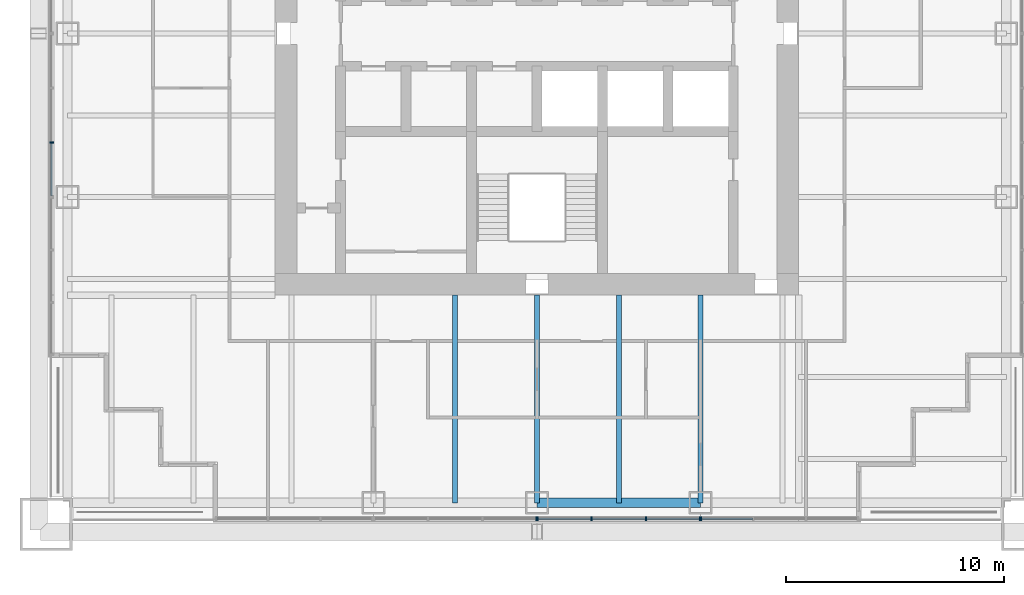
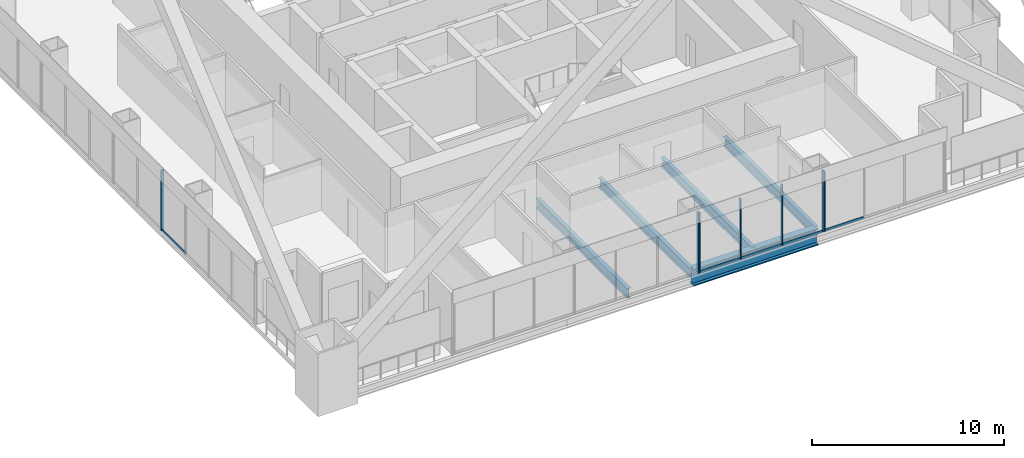
# One storey, part 4 of 19: 12 members, 5 beams, 4 elements without a shape of their own.
"""IFC4 building model written with IfcOpenShell, lengths in metres."""

from ifc_helpers import new_model, si_unit, direction, frame, origin, origin_2d, place, context, subcontext, project, spatial, rectangle, i_section, extrude, material, material_profile, profile_set, type_object, element, aggregate, save


model = new_model("IFC4")

# Units and contexts
model_context = context("Model", 3, precision=1e-05, world=origin(), true_north=direction((0.0, 1.0)))
body_context = subcontext(model_context, "Body", "Model", "MODEL_VIEW")
ifc_project = project(units=[si_unit("LENGTHUNIT", "METRE"), si_unit("AREAUNIT", "SQUARE_METRE"), si_unit("VOLUMEUNIT", "CUBIC_METRE"), si_unit("PLANEANGLEUNIT", "RADIAN"), si_unit("MASSUNIT", "GRAM", prefix="KILO")], contexts=[model_context])

# Site, building, storey
site_placement = place(None, origin())
site = spatial("IfcSite", under=ifc_project, at=site_placement, CompositionType="ELEMENT")
building_placement = place(site_placement, origin())
building = spatial("IfcBuilding", under=site, at=building_placement, Name="Tarangal Relay Tower", CompositionType="ELEMENT")
storey_placement = place(building_placement, frame((0.0, 0.0, 213.89990234375)))
storey = spatial("IfcBuildingStorey", under=building, at=storey_placement, Name="L45", CompositionType="ELEMENT", Elevation=213.89990234375)

# Beams
ifc_material_1 = material(Name="Steel ASTM A992", Category="steel")
ifc_material_profile_1 = material_profile(ifc_material_1, i_section(OverallWidth=0.41650390625, OverallDepth=1.0693359375, WebThickness=0.0390625, FlangeThickness=0.070068359375, at=origin_2d()), Name="W40X503")
ifc_profile_set_1 = profile_set([ifc_material_profile_1], Name="Steel ASTM A992")
beam_type_1 = type_object("IfcBeamType", Name="Edge girder W40X503", PredefinedType="SPANDREL", material=ifc_profile_set_1)
beam_placement = place(storey_placement, frame((7.5, -21.514892578125, -0.6845703125), z_axis=(-1.0, 0.0, 0.0), x_axis=(0.0, -1.0, 0.0)))
element("IfcBeam", 1, at=beam_placement, inside=storey, type_object=beam_type_1, Name="Edge girder EG8 S L45", PredefinedType="SPANDREL", context=body_context, shape_type="SweptSolid", body=[
    extrude(i_section(OverallWidth=0.41650390625, OverallDepth=1.0693359375, WebThickness=0.0390625, FlangeThickness=0.070068359375, at=origin_2d()), origin(), (0.0, 0.0, 1.0), 7.5),
])
ifc_material_profile_2 = material_profile(ifc_material_1, i_section(OverallWidth=0.22900390625, OverallDepth=0.612060546875, WebThickness=0.011962890625, FlangeThickness=0.01953125, at=origin_2d()), Name="W24X84")
ifc_profile_set_2 = profile_set([ifc_material_profile_2], Name="Steel ASTM A992")
beam_type_2 = type_object("IfcBeamType", Name="Floor beam W24X84", PredefinedType="BEAM", material=ifc_profile_set_2)
for number, where, z_axis, x_axis, name in (
    (2, (7.5, -12.0, -0.455810546875), (0.0, -1.0, 0.0), (1.0, 0.0, 0.0), "Floor beam RB12 S L45"),
    (3, (3.75, -12.0, -0.455810546875), (0.0, -1.0, 0.0), (1.0, 0.0, 0.0), "Floor beam RB12 S L45"),
    (4, (0.0, -12.0, -0.455810546875), (0.0, -1.0, 0.0), (1.0, 0.0, 0.0), "Floor beam RB12 S L45"),
    (5, (-3.75, -12.0, -0.455810546875), (0.0, -1.0, 0.0), (1.0, 0.0, 0.0), "Floor beam RB12 S L45"),
):
    element("IfcBeam", number, at=place(storey_placement, frame(where, z_axis=z_axis, x_axis=x_axis)), inside=storey, type_object=beam_type_2, Name=name, PredefinedType="BEAM", context=body_context, shape_type="SweptSolid", body=[
        extrude(i_section(OverallWidth=0.22900390625, OverallDepth=0.612060546875, WebThickness=0.011962890625, FlangeThickness=0.01953125, at=origin_2d()), origin(), (0.0, 0.0, 1.0), 9.514892578125),
    ])

# Curtain wall, member
ifc_material_2 = material(Name="Unitised curtain wall, dark glass and black aluminium", Category="aluminium")
curtain_wall_type = type_object("IfcCurtainWallType", Name="Curtain wall CW-A", PredefinedType="USERDEFINED", material=ifc_material_2)
curtain_wall_1_placement = place(storey_placement, origin())
curtain_wall_1 = element("IfcCurtainWall", 6, at=curtain_wall_1_placement, inside=storey, type_object=curtain_wall_type, Name="Curtain wall CW-A S facade L45", ObjectType="UNITISED CURTAIN WALL", PredefinedType="USERDEFINED")
ifc_material_3 = material(Name="Black anodised aluminium mullion", Category="aluminium")
ifc_material_profile_3 = material_profile(ifc_material_3, rectangle(XDim=0.175048828125, YDim=0.06494140625, at=origin_2d()), Name="CW-AM 65X175")
ifc_profile_set_3 = profile_set([ifc_material_profile_3], Name="Black anodised aluminium mullion")
member_type_1 = type_object("IfcMemberType", Name="Mullion CW-A 65 x 175", PredefinedType="MULLION", material=ifc_profile_set_3)
member_1_placement = place(storey_placement, frame((7.532470703125, -22.25, 0.0), z_axis=(0.0, 0.0, 1.0), x_axis=(0.0, -1.0, 0.0)))
member_1 = element("IfcMember", 7, at=member_1_placement, type_object=member_type_1, Name="CW-A mullion 4", PredefinedType="MULLION", context=body_context, shape_type="SweptSolid", body=[
    extrude(rectangle(XDim=0.175048828125, YDim=0.06494140625, at=origin_2d()), origin(), (0.0, 0.0, 1.0), 3.85009765625),
])

# Curtain wall, members
curtain_wall_2_placement = place(storey_placement, origin())
curtain_wall_2 = element("IfcCurtainWall", 8, at=curtain_wall_2_placement, inside=storey, type_object=curtain_wall_type, Name="Curtain wall CW-A S facade L45", ObjectType="UNITISED CURTAIN WALL", PredefinedType="USERDEFINED")
member_2_placement = place(storey_placement, frame((7.467529296875, -22.25, 0.0), z_axis=(0.0, 0.0, 1.0), x_axis=(0.0, -1.0, 0.0)))
member_2 = element("IfcMember", 9, at=member_2_placement, type_object=member_type_1, Name="CW-A mullion 1", PredefinedType="MULLION", context=body_context, shape_type="SweptSolid", body=[
    extrude(rectangle(XDim=0.175048828125, YDim=0.06494140625, at=origin_2d()), origin(), (0.0, 0.0, 1.0), 3.85009765625),
])
member_3_placement = place(storey_placement, frame((5.0, -22.25, 0.0), z_axis=(0.0, 0.0, 1.0), x_axis=(0.0, -1.0, 0.0)))
member_3 = element("IfcMember", 10, at=member_3_placement, type_object=member_type_1, Name="CW-A mullion 2", PredefinedType="MULLION", context=body_context, shape_type="SweptSolid", body=[
    extrude(rectangle(XDim=0.175048828125, YDim=0.06494140625, at=origin_2d()), origin(), (0.0, 0.0, 1.0), 3.85009765625),
])
member_4_placement = place(storey_placement, frame((2.5, -22.25, 0.0), z_axis=(0.0, 0.0, 1.0), x_axis=(0.0, -1.0, 0.0)))
member_4 = element("IfcMember", 11, at=member_4_placement, type_object=member_type_1, Name="CW-A mullion 3", PredefinedType="MULLION", context=body_context, shape_type="SweptSolid", body=[
    extrude(rectangle(XDim=0.175048828125, YDim=0.06494140625, at=origin_2d()), origin(), (0.0, 0.0, 1.0), 3.85009765625),
])
member_5_placement = place(storey_placement, frame((0.032470703125, -22.25, 0.0), z_axis=(0.0, 0.0, 1.0), x_axis=(0.0, -1.0, 0.0)))
member_5 = element("IfcMember", 12, at=member_5_placement, type_object=member_type_1, Name="CW-A mullion 4", PredefinedType="MULLION", context=body_context, shape_type="SweptSolid", body=[
    extrude(rectangle(XDim=0.175048828125, YDim=0.06494140625, at=origin_2d()), origin(), (0.0, 0.0, 1.0), 3.85009765625),
])

# Curtain wall, member
curtain_wall_3_placement = place(storey_placement, origin())
curtain_wall_3 = element("IfcCurtainWall", 13, at=curtain_wall_3_placement, inside=storey, type_object=curtain_wall_type, Name="Curtain wall CW-A S facade L45", ObjectType="UNITISED CURTAIN WALL", PredefinedType="USERDEFINED")
member_6_placement = place(storey_placement, frame((-0.032470703125, -22.25, 0.0), z_axis=(0.0, 0.0, 1.0), x_axis=(0.0, -1.0, 0.0)))
member_6 = element("IfcMember", 14, at=member_6_placement, type_object=member_type_1, Name="CW-A mullion 1", PredefinedType="MULLION", context=body_context, shape_type="SweptSolid", body=[
    extrude(rectangle(XDim=0.175048828125, YDim=0.06494140625, at=origin_2d()), origin(), (0.0, 0.0, 1.0), 3.85009765625),
])
aggregate(curtain_wall_3, [member_6])

curtain_wall_4_placement = place(storey_placement, origin())
curtain_wall_4 = element("IfcCurtainWall", 15, at=curtain_wall_4_placement, inside=storey, type_object=curtain_wall_type, Name="Curtain wall CW-A W facade L45", ObjectType="UNITISED CURTAIN WALL", PredefinedType="USERDEFINED")
member_7_placement = place(storey_placement, frame((-22.25, -5.0, 0.0), z_axis=(0.0, 0.0, 1.0), x_axis=(-1.0, 0.0, 0.0)))
member_7 = element("IfcMember", 16, at=member_7_placement, type_object=member_type_1, Name="CW-A mullion 2", PredefinedType="MULLION", context=body_context, shape_type="SweptSolid", body=[
    extrude(rectangle(XDim=0.175048828125, YDim=0.06494140625, at=origin_2d()), origin(), (0.0, 0.0, 1.0), 3.85009765625),
])

# Member
ifc_material_4 = material(Name="Black anodised aluminium transom", Category="aluminium")
ifc_material_profile_4 = material_profile(ifc_material_4, rectangle(XDim=0.06494140625, YDim=0.14990234375, at=origin_2d()), Name="CW-AT 65X150")
ifc_profile_set_4 = profile_set([ifc_material_profile_4], Name="Black anodised aluminium transom")
member_type_2 = type_object("IfcMemberType", Name="Transom CW-A 65 x 150", PredefinedType="USERDEFINED", material=ifc_profile_set_4)
member_8_placement = place(storey_placement, frame((9.88427734375, -22.25, 0.03271484375), z_axis=(-1.0, 0.0, 0.0), x_axis=(0.0, -1.0, 0.0)))
member_8 = element("IfcMember", 17, at=member_8_placement, type_object=member_type_2, Name="CW-A transom 3.1", ObjectType="TRANSOM", PredefinedType="USERDEFINED", context=body_context, shape_type="SweptSolid", body=[
    extrude(rectangle(XDim=0.06494140625, YDim=0.14990234375, at=origin_2d()), origin(), (0.0, 0.0, 1.0), 2.3193359375),
])

aggregate(curtain_wall_1, [member_1, member_8])

member_9_placement = place(storey_placement, frame((7.43505859375, -22.25, 0.03271484375), z_axis=(-1.0, 0.0, 0.0), x_axis=(0.0, -1.0, 0.0)))
member_9 = element("IfcMember", 18, at=member_9_placement, type_object=member_type_2, Name="CW-A transom 1.1", ObjectType="TRANSOM", PredefinedType="USERDEFINED", context=body_context, shape_type="SweptSolid", body=[
    extrude(rectangle(XDim=0.06494140625, YDim=0.14990234375, at=origin_2d()), origin(), (0.0, 0.0, 1.0), 2.402587890625),
])

member_10_placement = place(storey_placement, frame((4.967529296875, -22.25, 0.03271484375), z_axis=(-1.0, 0.0, 0.0), x_axis=(0.0, -1.0, 0.0)))
member_10 = element("IfcMember", 19, at=member_10_placement, type_object=member_type_2, Name="CW-A transom 2.1", ObjectType="TRANSOM", PredefinedType="USERDEFINED", context=body_context, shape_type="SweptSolid", body=[
    extrude(rectangle(XDim=0.06494140625, YDim=0.14990234375, at=origin_2d()), origin(), (0.0, 0.0, 1.0), 2.43505859375),
])

member_11_placement = place(storey_placement, frame((2.467529296875, -22.25, 0.03271484375), z_axis=(-1.0, 0.0, 0.0), x_axis=(0.0, -1.0, 0.0)))
member_11 = element("IfcMember", 20, at=member_11_placement, type_object=member_type_2, Name="CW-A transom 3.1", ObjectType="TRANSOM", PredefinedType="USERDEFINED", context=body_context, shape_type="SweptSolid", body=[
    extrude(rectangle(XDim=0.06494140625, YDim=0.14990234375, at=origin_2d()), origin(), (0.0, 0.0, 1.0), 2.402587890625),
])

aggregate(curtain_wall_2, [member_2, member_3, member_4, member_5, member_9, member_10, member_11])

member_12_placement = place(storey_placement, frame((-22.25, -7.43505859375, 0.03271484375), z_axis=(0.0, 1.0, 0.0), x_axis=(-1.0, 0.0, 0.0)))
member_12 = element("IfcMember", 21, at=member_12_placement, type_object=member_type_2, Name="CW-A transom 1.1", ObjectType="TRANSOM", PredefinedType="USERDEFINED", context=body_context, shape_type="SweptSolid", body=[
    extrude(rectangle(XDim=0.06494140625, YDim=0.14990234375, at=origin_2d()), origin(), (0.0, 0.0, 1.0), 2.402587890625),
])

aggregate(curtain_wall_4, [member_7, member_12])

save(model, "model.ifc")
